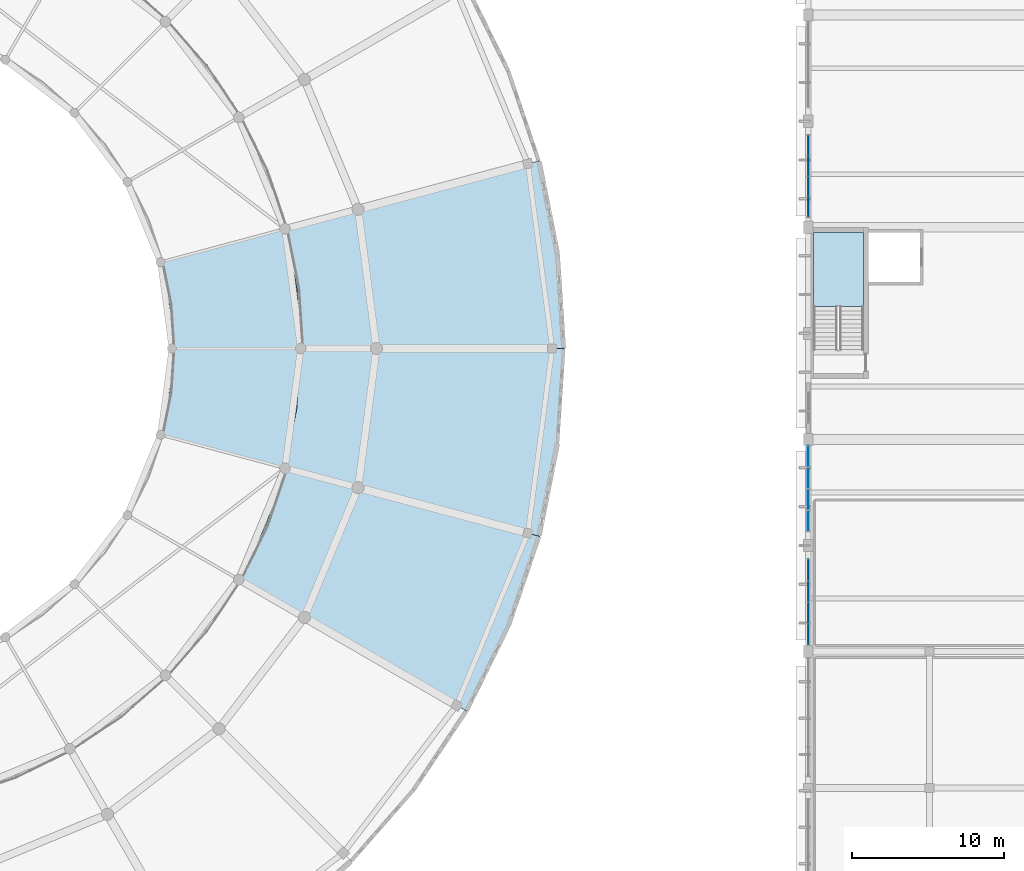
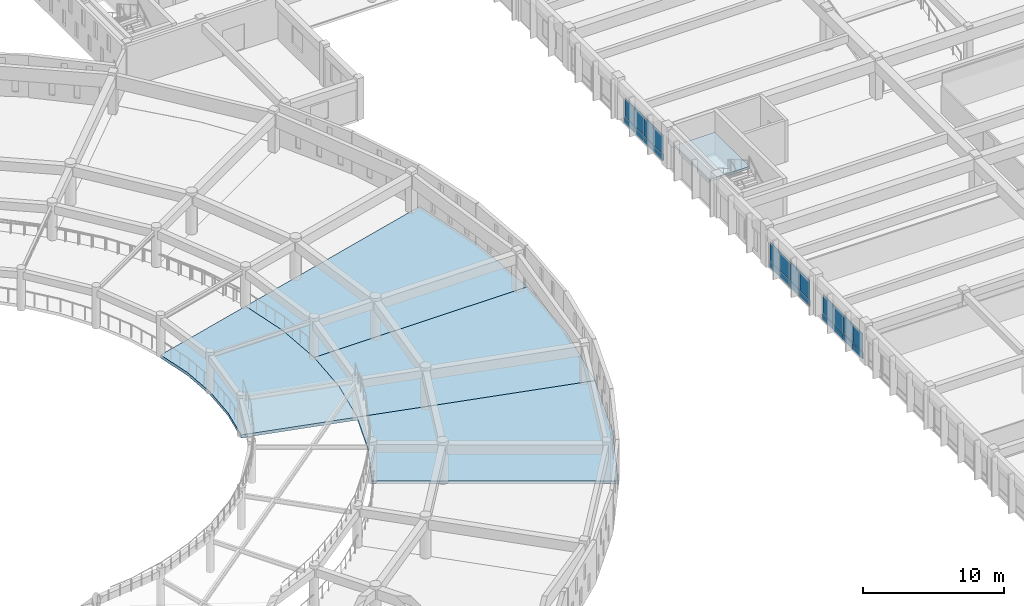
# One storey, part 74 of 155: 24 plates, 5 slabs, 4 elements without a shape of their own.
"""IFC4 building model written with IfcOpenShell, lengths in metres."""

from ifc_helpers import new_model, si_unit, direction, frame, origin, origin_2d, place, context, subcontext, project, spatial, polyline, rectangle, outline, extrude, material, layer, layer_set, type_object, element, aggregate, save


model = new_model("IFC4")

# Units and contexts
model_context = context("Model", 3, precision=1e-05, world=origin(), true_north=direction((0.0, 1.0)))
body_context = subcontext(model_context, "Body", "Model", "MODEL_VIEW")
ifc_project = project(units=[si_unit("LENGTHUNIT", "METRE"), si_unit("AREAUNIT", "SQUARE_METRE"), si_unit("VOLUMEUNIT", "CUBIC_METRE"), si_unit("PLANEANGLEUNIT", "RADIAN"), si_unit("MASSUNIT", "GRAM", prefix="KILO")], contexts=[model_context])

# Site, building, storey
site_placement = place(None, origin())
site = spatial("IfcSite", under=ifc_project, at=site_placement, CompositionType="ELEMENT")
building_placement = place(site_placement, origin())
building = spatial("IfcBuilding", under=site, at=building_placement, Name="Larkveld Mobility Hub", CompositionType="ELEMENT")
storey_placement = place(building_placement, frame((0.0, 0.0, 8.39990234375)))
storey = spatial("IfcBuildingStorey", under=building, at=storey_placement, Name="L02", CompositionType="ELEMENT", Elevation=8.39990234375)

# Curtain wall, plates
ifc_material_1 = material(Name="Anodised aluminium 6063-T6", Category="aluminium")
curtain_wall_type_1 = type_object("IfcCurtainWallType", Name="CW-SYS-04", PredefinedType="NOTDEFINED", material=ifc_material_1)
curtain_wall_1_placement = place(storey_placement, origin())
curtain_wall_1 = element("IfcCurtainWall", 1, at=curtain_wall_1_placement, inside=storey, type_object=curtain_wall_type_1, Name="EV Wing West Glazing L02 CW-136", PredefinedType="NOTDEFINED")
ifc_material_2 = material(Name="Low-E laminated solar-control double glazing", Category="glass")
ifc_layer_1 = layer(ifc_material_2, 0.028076171875, Name="Low-E laminated solar-control double glazing", Category="glass")
ifc_layer_set_1 = layer_set([ifc_layer_1], Name="Low-E laminated solar-control double glazing")
plate_type_1 = type_object("IfcPlateType", Name="CW-PNL-GL01", PredefinedType="CURTAIN_PANEL", material=ifc_layer_set_1)
plate_1_placement = place(storey_placement, frame((112.0, 33.37890625, 0.552001953125), z_axis=(0.0, 0.0, 1.0), x_axis=(0.0, -1.0, 0.0)))
plate_1 = element("IfcPlate", 2, at=plate_1_placement, type_object=plate_type_1, Name="CW04 panel 1", PredefinedType="CURTAIN_PANEL", context=body_context, shape_type="SweptSolid", body=[
    extrude(rectangle(XDim=1.39208984375, YDim=0.028076171875, at=origin_2d()), origin(), (0.0, 0.0, 1.0), 1.6259765625),
])
plate_2_placement = place(storey_placement, frame((112.0, 31.966064453125, 0.552001953125), z_axis=(0.0, 0.0, 1.0), x_axis=(0.0, -1.0, 0.0)))
plate_2 = element("IfcPlate", 3, at=plate_2_placement, type_object=plate_type_1, Name="CW04 panel 2", PredefinedType="CURTAIN_PANEL", context=body_context, shape_type="SweptSolid", body=[
    extrude(rectangle(XDim=1.412109375, YDim=0.028076171875, at=origin_2d()), origin(), (0.0, 0.0, 1.0), 1.6259765625),
])
plate_3_placement = place(storey_placement, frame((112.0, 30.5439453125, 0.552001953125), z_axis=(0.0, 0.0, 1.0), x_axis=(0.0, -1.0, 0.0)))
plate_3 = element("IfcPlate", 4, at=plate_3_placement, type_object=plate_type_1, Name="CW04 panel 3", PredefinedType="CURTAIN_PANEL", context=body_context, shape_type="SweptSolid", body=[
    extrude(rectangle(XDim=1.412109375, YDim=0.028076171875, at=origin_2d()), origin(), (0.0, 0.0, 1.0), 1.6259765625),
])
plate_4_placement = place(storey_placement, frame((112.0, 29.132080078125, 0.552001953125), z_axis=(0.0, 0.0, 1.0), x_axis=(0.0, -1.0, 0.0)))
plate_4 = element("IfcPlate", 5, at=plate_4_placement, type_object=plate_type_1, Name="CW04 panel 4", PredefinedType="CURTAIN_PANEL", context=body_context, shape_type="SweptSolid", body=[
    extrude(rectangle(XDim=1.39208984375, YDim=0.028076171875, at=origin_2d()), origin(), (0.0, 0.0, 1.0), 1.6259765625),
])

curtain_wall_type_2 = type_object("IfcCurtainWallType", Name="CW-SYS-03", PredefinedType="NOTDEFINED", material=ifc_material_1)
curtain_wall_2_placement = place(storey_placement, origin())
curtain_wall_2 = element("IfcCurtainWall", 6, at=curtain_wall_2_placement, inside=storey, type_object=curtain_wall_type_2, Name="EV Wing West Glazing L02 CW-135", PredefinedType="NOTDEFINED")
ifc_material_3 = material(Name="Tinted safety double glazing", Category="glass")
ifc_layer_2 = layer(ifc_material_3, 0.035888671875, Name="Tinted safety double glazing", Category="glass")
ifc_layer_set_2 = layer_set([ifc_layer_2], Name="Tinted safety double glazing")
plate_type_2 = type_object("IfcPlateType", Name="CW-PNL-GL03", PredefinedType="CURTAIN_PANEL", material=ifc_layer_set_2)
plate_5_placement = place(storey_placement, frame((112.0, 40.868896484375, 0.552001953125), z_axis=(0.0, 0.0, 1.0), x_axis=(0.0, -1.0, 0.0)))
plate_5 = element("IfcPlate", 7, at=plate_5_placement, type_object=plate_type_2, Name="CW03 panel 1", PredefinedType="CURTAIN_PANEL", context=body_context, shape_type="SweptSolid", body=[
    extrude(rectangle(XDim=1.39208984375, YDim=0.035888671875, at=origin_2d()), origin(), (0.0, 0.0, 1.0), 1.6259765625),
])
plate_6_placement = place(storey_placement, frame((112.0, 39.4560546875, 0.552001953125), z_axis=(0.0, 0.0, 1.0), x_axis=(0.0, -1.0, 0.0)))
plate_6 = element("IfcPlate", 8, at=plate_6_placement, type_object=plate_type_2, Name="CW03 panel 2", PredefinedType="CURTAIN_PANEL", context=body_context, shape_type="SweptSolid", body=[
    extrude(rectangle(XDim=1.412109375, YDim=0.035888671875, at=origin_2d()), origin(), (0.0, 0.0, 1.0), 1.6259765625),
])
plate_7_placement = place(storey_placement, frame((112.0, 38.033935546875, 0.552001953125), z_axis=(0.0, 0.0, 1.0), x_axis=(0.0, -1.0, 0.0)))
plate_7 = element("IfcPlate", 9, at=plate_7_placement, type_object=plate_type_2, Name="CW03 panel 3", PredefinedType="CURTAIN_PANEL", context=body_context, shape_type="SweptSolid", body=[
    extrude(rectangle(XDim=1.412109375, YDim=0.035888671875, at=origin_2d()), origin(), (0.0, 0.0, 1.0), 1.6259765625),
])
plate_8_placement = place(storey_placement, frame((112.0, 36.62109375, 0.552001953125), z_axis=(0.0, 0.0, 1.0), x_axis=(0.0, -1.0, 0.0)))
plate_8 = element("IfcPlate", 10, at=plate_8_placement, type_object=plate_type_2, Name="CW03 panel 4", PredefinedType="CURTAIN_PANEL", context=body_context, shape_type="SweptSolid", body=[
    extrude(rectangle(XDim=1.39208984375, YDim=0.035888671875, at=origin_2d()), origin(), (0.0, 0.0, 1.0), 1.6259765625),
])

curtain_wall_type_3 = type_object("IfcCurtainWallType", Name="CW-SYS-06", PredefinedType="NOTDEFINED", material=ifc_material_1)
curtain_wall_3_placement = place(storey_placement, origin())
curtain_wall_3 = element("IfcCurtainWall", 11, at=curtain_wall_3_placement, inside=storey, type_object=curtain_wall_type_3, Name="EV Wing West Glazing L02 CW-138", PredefinedType="NOTDEFINED")
plate_9_placement = place(storey_placement, frame((112.0, 61.406982421875, 0.552001953125), z_axis=(0.0, 0.0, 1.0), x_axis=(0.0, -1.0, 0.0)))
plate_9 = element("IfcPlate", 12, at=plate_9_placement, type_object=plate_type_2, Name="CW06 panel 1", PredefinedType="CURTAIN_PANEL", context=body_context, shape_type="SweptSolid", body=[
    extrude(rectangle(XDim=1.3349609375, YDim=0.035888671875, at=origin_2d()), origin(), (0.0, 0.0, 1.0), 1.6259765625),
])
plate_10_placement = place(storey_placement, frame((112.0, 60.052001953125, 0.552001953125), z_axis=(0.0, 0.0, 1.0), x_axis=(0.0, -1.0, 0.0)))
plate_10 = element("IfcPlate", 13, at=plate_10_placement, type_object=plate_type_2, Name="CW06 panel 2", PredefinedType="CURTAIN_PANEL", context=body_context, shape_type="SweptSolid", body=[
    extrude(rectangle(XDim=1.35498046875, YDim=0.035888671875, at=origin_2d()), origin(), (0.0, 0.0, 1.0), 1.6259765625),
])
plate_11_placement = place(storey_placement, frame((112.0, 58.68798828125, 0.552001953125), z_axis=(0.0, 0.0, 1.0), x_axis=(0.0, -1.0, 0.0)))
plate_11 = element("IfcPlate", 14, at=plate_11_placement, type_object=plate_type_2, Name="CW06 panel 3", PredefinedType="CURTAIN_PANEL", context=body_context, shape_type="SweptSolid", body=[
    extrude(rectangle(XDim=1.35498046875, YDim=0.035888671875, at=origin_2d()), origin(), (0.0, 0.0, 1.0), 1.6259765625),
])
plate_12_placement = place(storey_placement, frame((112.0, 57.33203125, 0.552001953125), z_axis=(0.0, 0.0, 1.0), x_axis=(0.0, -1.0, 0.0)))
plate_12 = element("IfcPlate", 15, at=plate_12_placement, type_object=plate_type_2, Name="CW06 panel 4", PredefinedType="CURTAIN_PANEL", context=body_context, shape_type="SweptSolid", body=[
    extrude(rectangle(XDim=1.3349609375, YDim=0.035888671875, at=origin_2d()), origin(), (0.0, 0.0, 1.0), 1.6259765625),
])

# Plate
ifc_material_4 = material(Name="Insulated fluoropolymer aluminium spandrel", Category="aluminium")
ifc_layer_3 = layer(ifc_material_4, 0.06494140625, Name="Insulated fluoropolymer aluminium spandrel", Category="aluminium")
ifc_layer_set_3 = layer_set([ifc_layer_3], Name="Insulated fluoropolymer aluminium spandrel")
plate_type_3 = type_object("IfcPlateType", Name="CW-PNL-SP01", PredefinedType="CURTAIN_PANEL", material=ifc_layer_set_3)
plate_13_placement = place(storey_placement, frame((112.0, 40.868896484375, 0.0), z_axis=(0.0, 0.0, 1.0), x_axis=(0.0, -1.0, 0.0)))
plate_13 = element("IfcPlate", 16, at=plate_13_placement, type_object=plate_type_3, Name="CW03 spandrel 1", PredefinedType="CURTAIN_PANEL", context=body_context, shape_type="SweptSolid", body=[
    extrude(rectangle(XDim=1.39208984375, YDim=0.06494140625, at=origin_2d()), origin(), (0.0, 0.0, 1.0), 0.5400390625),
])

plate_14_placement = place(storey_placement, frame((112.0, 39.4560546875, 0.0), z_axis=(0.0, 0.0, 1.0), x_axis=(0.0, -1.0, 0.0)))
plate_14 = element("IfcPlate", 17, at=plate_14_placement, type_object=plate_type_3, Name="CW03 spandrel 2", PredefinedType="CURTAIN_PANEL", context=body_context, shape_type="SweptSolid", body=[
    extrude(rectangle(XDim=1.412109375, YDim=0.06494140625, at=origin_2d()), origin(), (0.0, 0.0, 1.0), 0.5400390625),
])

plate_15_placement = place(storey_placement, frame((112.0, 38.033935546875, 0.0), z_axis=(0.0, 0.0, 1.0), x_axis=(0.0, -1.0, 0.0)))
plate_15 = element("IfcPlate", 18, at=plate_15_placement, type_object=plate_type_3, Name="CW03 spandrel 3", PredefinedType="CURTAIN_PANEL", context=body_context, shape_type="SweptSolid", body=[
    extrude(rectangle(XDim=1.412109375, YDim=0.06494140625, at=origin_2d()), origin(), (0.0, 0.0, 1.0), 0.5400390625),
])

plate_16_placement = place(storey_placement, frame((112.0, 36.62109375, 0.0), z_axis=(0.0, 0.0, 1.0), x_axis=(0.0, -1.0, 0.0)))
plate_16 = element("IfcPlate", 19, at=plate_16_placement, type_object=plate_type_3, Name="CW03 spandrel 4", PredefinedType="CURTAIN_PANEL", context=body_context, shape_type="SweptSolid", body=[
    extrude(rectangle(XDim=1.39208984375, YDim=0.06494140625, at=origin_2d()), origin(), (0.0, 0.0, 1.0), 0.5400390625),
])

aggregate(curtain_wall_2, [plate_13, plate_5, plate_14, plate_6, plate_15, plate_7, plate_16, plate_8])

ifc_material_5 = material(Name="Insulated terracotta-toned aluminium spandrel", Category="masonry")
ifc_layer_4 = layer(ifc_material_5, 0.080078125, Name="Insulated terracotta-toned aluminium spandrel", Category="masonry")
ifc_layer_set_4 = layer_set([ifc_layer_4], Name="Insulated terracotta-toned aluminium spandrel")
plate_type_4 = type_object("IfcPlateType", Name="CW-PNL-SP02", PredefinedType="CURTAIN_PANEL", material=ifc_layer_set_4)
plate_17_placement = place(storey_placement, frame((112.0, 33.37890625, 0.0), z_axis=(0.0, 0.0, 1.0), x_axis=(0.0, -1.0, 0.0)))
plate_17 = element("IfcPlate", 20, at=plate_17_placement, type_object=plate_type_4, Name="CW04 spandrel 1", PredefinedType="CURTAIN_PANEL", context=body_context, shape_type="SweptSolid", body=[
    extrude(rectangle(XDim=1.39208984375, YDim=0.080078125, at=origin_2d()), origin(), (0.0, 0.0, 1.0), 0.5400390625),
])

plate_18_placement = place(storey_placement, frame((112.0, 31.966064453125, 0.0), z_axis=(0.0, 0.0, 1.0), x_axis=(0.0, -1.0, 0.0)))
plate_18 = element("IfcPlate", 21, at=plate_18_placement, type_object=plate_type_4, Name="CW04 spandrel 2", PredefinedType="CURTAIN_PANEL", context=body_context, shape_type="SweptSolid", body=[
    extrude(rectangle(XDim=1.412109375, YDim=0.080078125, at=origin_2d()), origin(), (0.0, 0.0, 1.0), 0.5400390625),
])

plate_19_placement = place(storey_placement, frame((112.0, 30.5439453125, 0.0), z_axis=(0.0, 0.0, 1.0), x_axis=(0.0, -1.0, 0.0)))
plate_19 = element("IfcPlate", 22, at=plate_19_placement, type_object=plate_type_4, Name="CW04 spandrel 3", PredefinedType="CURTAIN_PANEL", context=body_context, shape_type="SweptSolid", body=[
    extrude(rectangle(XDim=1.412109375, YDim=0.080078125, at=origin_2d()), origin(), (0.0, 0.0, 1.0), 0.5400390625),
])

plate_20_placement = place(storey_placement, frame((112.0, 29.132080078125, 0.0), z_axis=(0.0, 0.0, 1.0), x_axis=(0.0, -1.0, 0.0)))
plate_20 = element("IfcPlate", 23, at=plate_20_placement, type_object=plate_type_4, Name="CW04 spandrel 4", PredefinedType="CURTAIN_PANEL", context=body_context, shape_type="SweptSolid", body=[
    extrude(rectangle(XDim=1.39208984375, YDim=0.080078125, at=origin_2d()), origin(), (0.0, 0.0, 1.0), 0.5400390625),
])

aggregate(curtain_wall_1, [plate_17, plate_1, plate_18, plate_2, plate_19, plate_3, plate_20, plate_4])

plate_21_placement = place(storey_placement, frame((112.0, 61.406982421875, 0.0), z_axis=(0.0, 0.0, 1.0), x_axis=(0.0, -1.0, 0.0)))
plate_21 = element("IfcPlate", 24, at=plate_21_placement, type_object=plate_type_4, Name="CW06 spandrel 1", PredefinedType="CURTAIN_PANEL", context=body_context, shape_type="SweptSolid", body=[
    extrude(rectangle(XDim=1.3349609375, YDim=0.080078125, at=origin_2d()), origin(), (0.0, 0.0, 1.0), 0.5400390625),
])

plate_22_placement = place(storey_placement, frame((112.0, 60.052001953125, 0.0), z_axis=(0.0, 0.0, 1.0), x_axis=(0.0, -1.0, 0.0)))
plate_22 = element("IfcPlate", 25, at=plate_22_placement, type_object=plate_type_4, Name="CW06 spandrel 2", PredefinedType="CURTAIN_PANEL", context=body_context, shape_type="SweptSolid", body=[
    extrude(rectangle(XDim=1.35498046875, YDim=0.080078125, at=origin_2d()), origin(), (0.0, 0.0, 1.0), 0.5400390625),
])

plate_23_placement = place(storey_placement, frame((112.0, 58.68798828125, 0.0), z_axis=(0.0, 0.0, 1.0), x_axis=(0.0, -1.0, 0.0)))
plate_23 = element("IfcPlate", 26, at=plate_23_placement, type_object=plate_type_4, Name="CW06 spandrel 3", PredefinedType="CURTAIN_PANEL", context=body_context, shape_type="SweptSolid", body=[
    extrude(rectangle(XDim=1.35498046875, YDim=0.080078125, at=origin_2d()), origin(), (0.0, 0.0, 1.0), 0.5400390625),
])

plate_24_placement = place(storey_placement, frame((112.0, 57.33203125, 0.0), z_axis=(0.0, 0.0, 1.0), x_axis=(0.0, -1.0, 0.0)))
plate_24 = element("IfcPlate", 27, at=plate_24_placement, type_object=plate_type_4, Name="CW06 spandrel 4", PredefinedType="CURTAIN_PANEL", context=body_context, shape_type="SweptSolid", body=[
    extrude(rectangle(XDim=1.3349609375, YDim=0.080078125, at=origin_2d()), origin(), (0.0, 0.0, 1.0), 0.5400390625),
])

aggregate(curtain_wall_3, [plate_21, plate_9, plate_22, plate_10, plate_23, plate_11, plate_24, plate_12])

# Slabs
ifc_material_6 = material(Name="Concrete C40/50", Category="concrete")
ifc_layer_5 = layer(ifc_material_6, 0.260009765625, Name="Concrete C40/50", Category="concrete")
ifc_layer_set_5 = layer_set([ifc_layer_5], Name="Concrete C40/50")
slab_type_1 = type_object("IfcSlabType", Name="SL-CON-260", PredefinedType="FLOOR", material=ifc_layer_set_5)
slab_1_placement = place(storey_placement, frame((0.0, 0.0, -0.260009765625)))
element("IfcSlab", 28, at=slab_1_placement, inside=storey, type_object=slab_type_1, Name="Helical Ramp Throat Landing L02 East L02-160", PredefinedType="FLOOR", context=body_context, shape_type="SweptSolid", body=[
    extrude(outline(polyline([(77.4609375, 40.10595703125), (78.239013671875, 44.01904296875), (78.5, 48.0), (78.239013671875, 51.98095703125), (77.4609375, 55.89404296875), (69.25, 53.694091796875), (69.81201171875, 50.8720703125), (70.0, 48.0), (69.81201171875, 45.1279296875), (69.25, 42.305908203125), (77.4609375, 40.10595703125)])), origin(), (0.0, 0.0, 1.0), 0.260009765625),
])
ifc_layer_6 = layer(ifc_material_6, 0.239990234375, Name="Concrete C40/50", Category="concrete")
ifc_layer_set_6 = layer_set([ifc_layer_6], Name="Concrete C40/50")
slab_type_2 = type_object("IfcSlabType", Name="SL-DRM-240", PredefinedType="FLOOR", material=ifc_layer_set_6)
slab_2_placement = place(storey_placement, frame((0.0, 0.0, -0.239990234375)))
element("IfcSlab", 29, at=slab_2_placement, inside=storey, type_object=slab_type_2, Name="Drum Parking Deck Slab L02-053", PredefinedType="FLOOR", context=body_context, shape_type="SweptSolid", body=[
    extrude(outline(polyline([(95.919921875, 48.0), (95.510009765625, 54.2548828125), (94.287109375, 60.403076171875), (77.4609375, 55.89404296875), (78.239013671875, 51.98095703125), (78.5, 48.0), (95.919921875, 48.0)])), origin(), (0.0, 0.0, 1.0), 0.239990234375),
])
slab_3_placement = place(storey_placement, frame((0.0, 0.0, -0.239990234375)))
element("IfcSlab", 30, at=slab_3_placement, inside=storey, type_object=slab_type_2, Name="Drum Parking Deck Slab L02-074", PredefinedType="FLOOR", context=body_context, shape_type="SweptSolid", body=[
    extrude(outline(polyline([(89.5, 24.0400390625), (92.27197265625, 29.662109375), (94.287109375, 35.596923828125), (77.4609375, 40.10595703125), (76.177978515625, 36.327880859375), (74.4140625, 32.75), (89.5, 24.0400390625)])), origin(), (0.0, 0.0, 1.0), 0.239990234375),
])
ifc_layer_7 = layer(ifc_material_6, 0.25, Name="Concrete C40/50", Category="concrete")
ifc_layer_set_7 = layer_set([ifc_layer_7], Name="Concrete C40/50")
slab_type_3 = type_object("IfcSlabType", Name="SL-FLR-250", PredefinedType="FLOOR", material=ifc_layer_set_7)
slab_4_placement = place(storey_placement, frame((0.0, 0.0, -0.25)))
element("IfcSlab", 31, at=slab_4_placement, inside=storey, type_object=slab_type_3, Name="Drum Parking Deck Slab L02-075", PredefinedType="FLOOR", context=body_context, shape_type="SweptSolid", body=[
    extrude(outline(polyline([(94.287109375, 35.596923828125), (95.510009765625, 41.7451171875), (95.919921875, 48.0), (78.5, 48.0), (78.239013671875, 44.01904296875), (77.4609375, 40.10595703125), (94.287109375, 35.596923828125)])), origin(), (0.0, 0.0, 1.0), 0.25),
])

# Stair, slab
stair_type = type_object("IfcStairType", Name="ST-HT-03", PredefinedType="HALF_TURN_STAIR", material=ifc_material_6)
stair_placement = place(storey_placement, origin())
stair = element("IfcStair", 32, at=stair_placement, inside=storey, type_object=stair_type, Name="L02 Protected Escape Stair ST3", PredefinedType="HALF_TURN_STAIR")
ifc_layer_8 = layer(ifc_material_6, 0.195068359375, Name="Concrete C40/50", Category="concrete")
ifc_layer_set_8 = layer_set([ifc_layer_8], Name="Concrete C40/50")
slab_type_4 = type_object("IfcSlabType", Name="SL-LND-03", PredefinedType="LANDING", material=ifc_layer_set_8)
slab_5_placement = place(storey_placement, frame((0.0, 0.0, 1.60498046875)))
slab_5 = element("IfcSlab", 33, at=slab_5_placement, type_object=slab_type_4, Name="ST3 landing 1", PredefinedType="LANDING", context=body_context, shape_type="SweptSolid", body=[
    extrude(outline(polyline([(115.639892578125, 50.77001953125), (115.639892578125, 55.64990234375), (112.35009765625, 55.64990234375), (112.35009765625, 50.77001953125), (115.639892578125, 50.77001953125)])), origin(), (0.0, 0.0, 1.0), 0.195068359375),
])
aggregate(stair, [slab_5])

save(model, "model.ifc")
